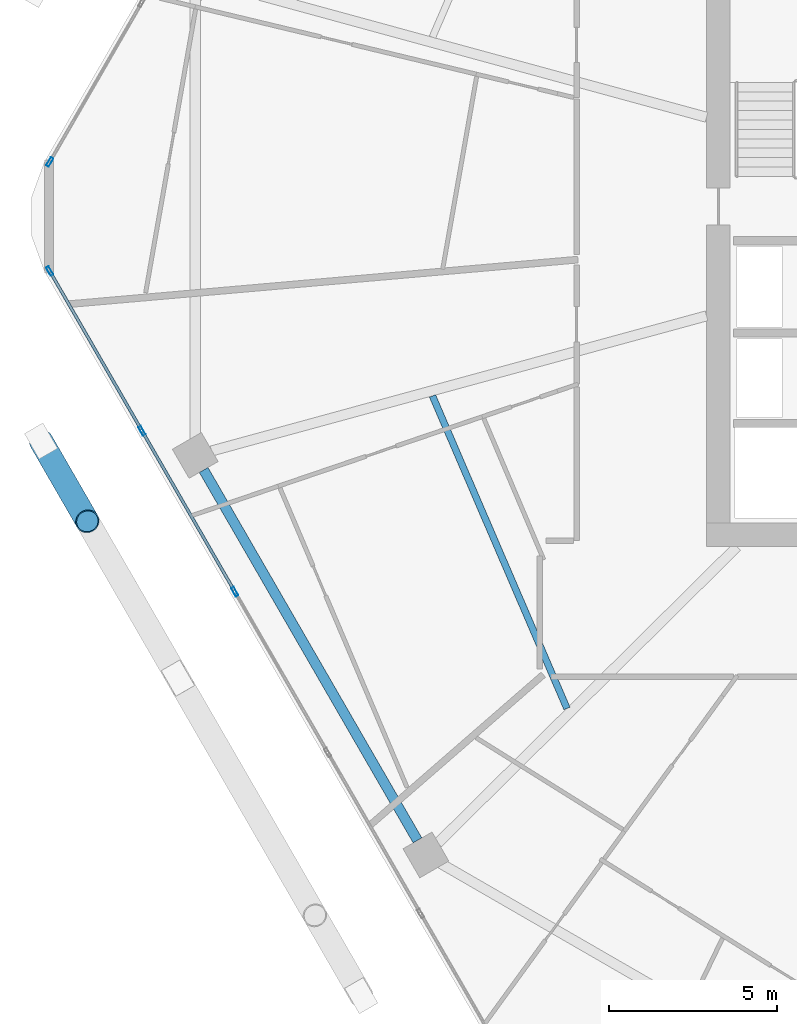
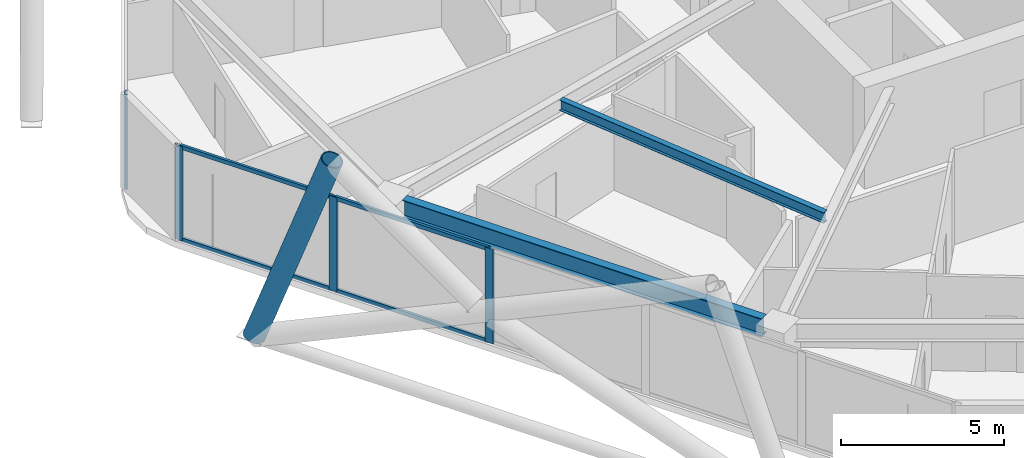
# One storey, part 5 of 29: 9 members, 2 beams, 2 elements without a shape of their own.
"""IFC4 building model written with IfcOpenShell, lengths in metres."""

from ifc_helpers import new_model, si_unit, direction, frame, origin, origin_2d, place, context, subcontext, project, spatial, hollow_rectangle, hollow_circle, i_section, extrude, material, material_profile, profile_set, type_object, element, aggregate, save


model = new_model("IFC4")

# Units and contexts
model_context = context("Model", 3, precision=1e-05, world=origin(), true_north=direction((0.0, 1.0)))
body_context = subcontext(model_context, "Body", "Model", "MODEL_VIEW")
ifc_project = project(units=[si_unit("LENGTHUNIT", "METRE"), si_unit("AREAUNIT", "SQUARE_METRE"), si_unit("VOLUMEUNIT", "CUBIC_METRE"), si_unit("PLANEANGLEUNIT", "RADIAN"), si_unit("MASSUNIT", "GRAM", prefix="KILO")], contexts=[model_context])

# Site, building, storey
site_placement = place(None, origin())
site = spatial("IfcSite", under=ifc_project, at=site_placement, CompositionType="ELEMENT")
building_placement = place(site_placement, origin())
building = spatial("IfcBuilding", under=site, at=building_placement, Name="Zuhravey Tower", CompositionType="ELEMENT")
storey_placement = place(building_placement, frame((0.0, 0.0, 161.800048828125)))
storey = spatial("IfcBuildingStorey", under=building, at=storey_placement, Name="L40", CompositionType="ELEMENT", Elevation=161.800048828125)

# Curtain wall, members
ifc_material_1 = material(Name="Thermally broken anodised aluminium", Category="aluminium")
curtain_wall_type = type_object("IfcCurtainWallType", Name="Zone 1-2 Residential Curtain Wall CW3", PredefinedType="NOTDEFINED", material=ifc_material_1)
curtain_wall_1_placement = place(storey_placement, origin())
curtain_wall_1 = element("IfcCurtainWall", 1, at=curtain_wall_1_placement, inside=storey, type_object=curtain_wall_type, Name="L40 CW3 CW-L40-F4-1", PredefinedType="NOTDEFINED")
ifc_material_2 = material(Name="Anodised aluminium", Category="aluminium")
ifc_material_profile_1 = material_profile(ifc_material_2, hollow_rectangle(XDim=0.090087890625, YDim=0.284912109375, WallThickness=0.0048828125, at=origin_2d()), Name="ALU-RHS-90x285x5")
ifc_profile_set_1 = profile_set([ifc_material_profile_1], Name="Anodised aluminium")
member_type_1 = type_object("IfcMemberType", Name="Curtain-Wall Mullion 90x180", PredefinedType="MULLION", material=ifc_profile_set_1)
member_1_placement = place(storey_placement, frame((11.07275390625, 20.809326171875, 0.0), z_axis=(0.0, 0.0, 1.0), x_axis=(-0.866025138215, -0.500000459979, 0.0)))
member_1 = element("IfcMember", 2, at=member_1_placement, type_object=member_type_1, Name="CW3 mullion 4", PredefinedType="MULLION", context=body_context, shape_type="SweptSolid", body=[
    extrude(hollow_rectangle(XDim=0.090087890625, YDim=0.284912109375, WallThickness=0.0048828125, at=origin_2d()), origin(), (0.0, 0.0, 1.0), 3.550048828125),
])
member_2_placement = place(storey_placement, frame((8.300537109375, 25.61083984375, 0.0), z_axis=(0.0, 0.0, 1.0), x_axis=(-0.866025138215, -0.500000459979, 0.0)))
member_2 = element("IfcMember", 3, at=member_2_placement, type_object=member_type_1, Name="CW3 mullion 5", PredefinedType="MULLION", context=body_context, shape_type="SweptSolid", body=[
    extrude(hollow_rectangle(XDim=0.090087890625, YDim=0.284912109375, WallThickness=0.0048828125, at=origin_2d()), origin(), (0.0, 0.0, 1.0), 3.550048828125),
])
member_3_placement = place(storey_placement, frame((5.55078125, 30.37353515625, 0.0), z_axis=(0.0, 0.0, 1.0), x_axis=(-0.866025138215, -0.500000459979, 0.0)))
member_3 = element("IfcMember", 4, at=member_3_placement, type_object=member_type_1, Name="CW3 mullion 6", PredefinedType="MULLION", context=body_context, shape_type="SweptSolid", body=[
    extrude(hollow_rectangle(XDim=0.090087890625, YDim=0.284912109375, WallThickness=0.0048828125, at=origin_2d()), origin(), (0.0, 0.0, 1.0), 3.550048828125),
])

# Curtain wall, member
curtain_wall_2_placement = place(storey_placement, origin())
curtain_wall_2 = element("IfcCurtainWall", 5, at=curtain_wall_2_placement, inside=storey, type_object=curtain_wall_type, Name="L40 CW3 CW-L40-F3-1", PredefinedType="NOTDEFINED")
member_4_placement = place(storey_placement, frame((5.55078125, 33.62646484375, 0.0), z_axis=(0.0, 0.0, 1.0), x_axis=(-0.866025138215, 0.500000459979, 0.0)))
member_4 = element("IfcMember", 6, at=member_4_placement, type_object=member_type_1, Name="CW3 mullion 1", PredefinedType="MULLION", context=body_context, shape_type="SweptSolid", body=[
    extrude(hollow_rectangle(XDim=0.090087890625, YDim=0.284912109375, WallThickness=0.0048828125, at=origin_2d()), origin(), (0.0, 0.0, 1.0), 3.550048828125),
])
aggregate(curtain_wall_2, [member_4])

# Member
ifc_material_profile_2 = material_profile(ifc_material_2, hollow_rectangle(XDim=0.090087890625, YDim=0.14990234375, WallThickness=0.0048828125, at=origin_2d()), Name="ALU-RHS-90x150x5")
ifc_profile_set_2 = profile_set([ifc_material_profile_2], Name="Anodised aluminium")
member_type_2 = type_object("IfcMemberType", Name="Curtain-Wall Transom 90x150", PredefinedType="USERDEFINED", material=ifc_profile_set_2)
member_5_placement = place(storey_placement, frame((11.050048828125, 20.84814453125, 0.044921875), z_axis=(-0.49996138257, 0.86604769842, 0.0), x_axis=(-0.86604769842, -0.49996138257, 0.0)))
member_5 = element("IfcMember", 7, at=member_5_placement, type_object=member_type_2, Name="CW3 transom 4.1", ObjectType="TRANSOM", PredefinedType="USERDEFINED", context=body_context, shape_type="SweptSolid", body=[
    extrude(hollow_rectangle(XDim=0.090087890625, YDim=0.14990234375, WallThickness=0.0048828125, at=origin_2d()), origin(), (0.0, 0.0, 1.0), 5.45458984375),
])

member_6_placement = place(storey_placement, frame((11.050048828125, 20.84814453125, 3.5048828125), z_axis=(-0.49996138257, 0.86604769842, 0.0), x_axis=(-0.86604769842, -0.49996138257, 0.0)))
member_6 = element("IfcMember", 8, at=member_6_placement, type_object=member_type_2, Name="CW3 transom 4.2", ObjectType="TRANSOM", PredefinedType="USERDEFINED", context=body_context, shape_type="SweptSolid", body=[
    extrude(hollow_rectangle(XDim=0.090087890625, YDim=0.14990234375, WallThickness=0.0048828125, at=origin_2d()), origin(), (0.0, 0.0, 1.0), 5.45458984375),
])

member_7_placement = place(storey_placement, frame((8.27783203125, 25.64990234375, 0.044921875), z_axis=(-0.499993332629, 0.866029253159, 0.0), x_axis=(-0.866029253159, -0.499993332629, 0.0)))
member_7 = element("IfcMember", 9, at=member_7_placement, type_object=member_type_2, Name="CW3 transom 5.1", ObjectType="TRANSOM", PredefinedType="USERDEFINED", context=body_context, shape_type="SweptSolid", body=[
    extrude(hollow_rectangle(XDim=0.090087890625, YDim=0.14990234375, WallThickness=0.0048828125, at=origin_2d()), origin(), (0.0, 0.0, 1.0), 5.4091796875),
])

member_8_placement = place(storey_placement, frame((8.27783203125, 25.64990234375, 3.5048828125), z_axis=(-0.499993332629, 0.866029253159, 0.0), x_axis=(-0.866029253159, -0.499993332629, 0.0)))
member_8 = element("IfcMember", 10, at=member_8_placement, type_object=member_type_2, Name="CW3 transom 5.2", ObjectType="TRANSOM", PredefinedType="USERDEFINED", context=body_context, shape_type="SweptSolid", body=[
    extrude(hollow_rectangle(XDim=0.090087890625, YDim=0.14990234375, WallThickness=0.0048828125, at=origin_2d()), origin(), (0.0, 0.0, 1.0), 5.4091796875),
])

aggregate(curtain_wall_1, [member_1, member_2, member_3, member_5, member_6, member_7, member_8])

ifc_material_3 = material(Name="Steel SM460", Category="steel")
ifc_material_profile_3 = material_profile(ifc_material_3, hollow_circle(Radius=0.355712890625, WallThickness=0.031982421875, at=origin_2d()), Name="CHS-711.2x32")
ifc_profile_set_3 = profile_set([ifc_material_profile_3], Name="Steel SM460")
member_type_3 = type_object("IfcMemberType", Name="Exoskeleton Zone 2 Diagrid CHS711x32", PredefinedType="BRACE", material=ifc_profile_set_3)
member_9_placement = place(storey_placement, frame((5.294677734375, 25.296875, -0.444091796875), z_axis=(0.171428917165, -0.296929081792, 0.939385568734), x_axis=(0.866029404905, 0.499993069792, 0.0)))
element("IfcMember", 11, at=member_9_placement, inside=storey, type_object=member_type_3, Name="L40 Face 4 Diagrid Brace 1", PredefinedType="BRACE", context=body_context, shape_type="SweptSolid", body=[
    extrude(hollow_circle(Radius=0.355712890625, WallThickness=0.031982421875, at=origin_2d()), origin(), (0.0, 0.0, 1.0), 8.0478515625),
])

# Beams
ifc_material_4 = material(Name="Steel SM355", Category="steel")
ifc_material_profile_4 = material_profile(ifc_material_4, i_section(OverallWidth=0.300048828125, OverallDepth=0.679931640625, WebThickness=0.012939453125, FlangeThickness=0.02197265625, at=origin_2d()), Name="H-680x300x13x22")
ifc_profile_set_4 = profile_set([ifc_material_profile_4], Name="Steel SM355")
beam_type_1 = type_object("IfcBeamType", Name="Perimeter Ring Beam H680x300", PredefinedType="BEAM", material=ifc_profile_set_4)
beam_1_placement = place(storey_placement, frame((10.143798828125, 24.43798828125, 3.2099609375), z_axis=(0.499997974489, -0.866026573211, 0.0), x_axis=(0.866026573211, 0.499997974489, 0.0)))
element("IfcBeam", 12, at=beam_1_placement, inside=storey, type_object=beam_type_1, Name="L40 PB2 BM-L40-PB-07", PredefinedType="BEAM", context=body_context, shape_type="SweptSolid", body=[
    extrude(i_section(OverallWidth=0.300048828125, OverallDepth=0.679931640625, WebThickness=0.012939453125, FlangeThickness=0.02197265625, at=origin_2d()), origin(), (0.0, 0.0, 1.0), 12.75830078125),
])
ifc_material_profile_5 = material_profile(ifc_material_4, i_section(OverallWidth=0.199951171875, OverallDepth=0.39990234375, WebThickness=0.008056640625, FlangeThickness=0.012939453125, at=origin_2d()), Name="H-400x200x8x13")
ifc_profile_set_5 = profile_set([ifc_material_profile_5], Name="Steel SM355")
beam_type_2 = type_object("IfcBeamType", Name="Secondary Floor Joist H400x200", PredefinedType="JOIST", material=ifc_profile_set_5)
beam_2_placement = place(storey_placement, frame((16.970458984375, 26.6474609375, 3.349853515625), z_axis=(0.395265853487, -0.918566766799, 0.0), x_axis=(0.918566766799, 0.395265853487, 0.0)))
element("IfcBeam", 13, at=beam_2_placement, inside=storey, type_object=beam_type_2, Name="L40 SJ2 BM-L40-SJ-07-1", PredefinedType="JOIST", context=body_context, shape_type="SweptSolid", body=[
    extrude(i_section(OverallWidth=0.199951171875, OverallDepth=0.39990234375, WebThickness=0.008056640625, FlangeThickness=0.012939453125, at=origin_2d()), origin(), (0.0, 0.0, 1.0), 10.150146484375),
])

save(model, "model.ifc")
